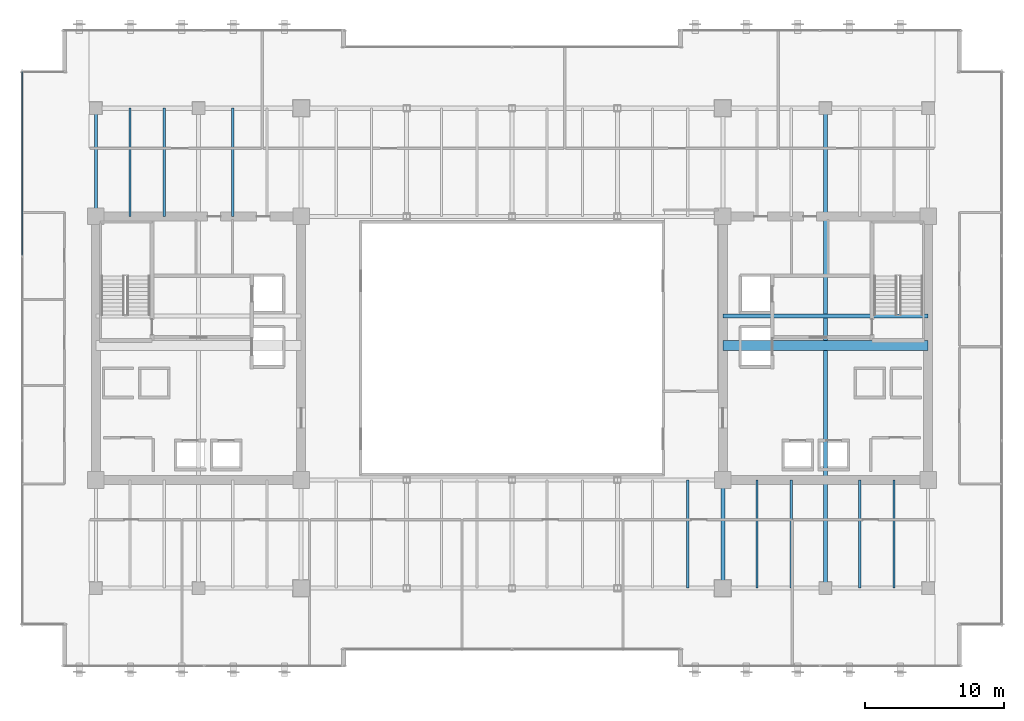
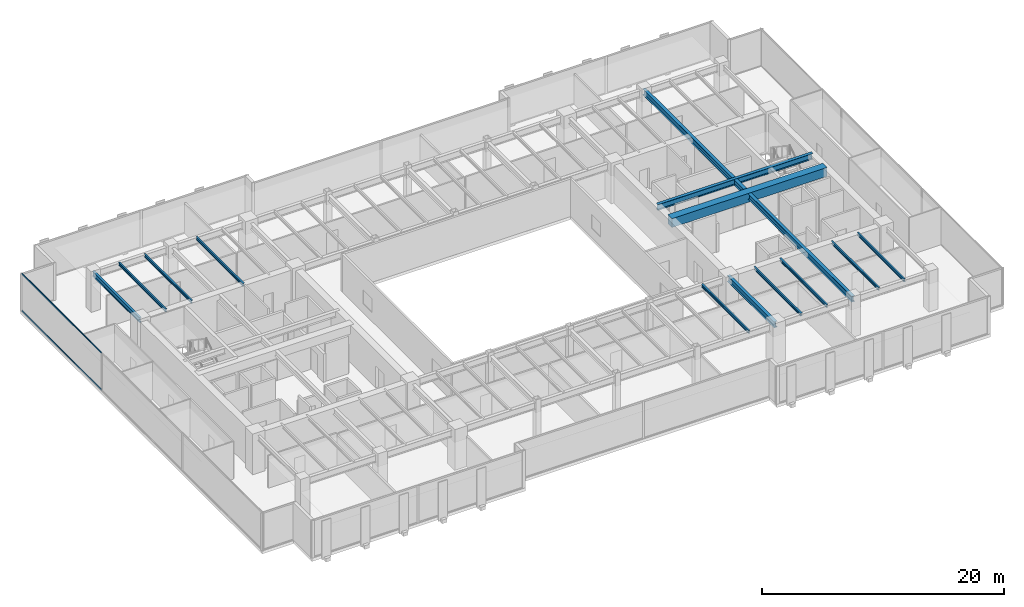
# One storey, part 13 of 34: 13 beams, 2 members, 1 element without a shape of its own.
"""IFC4 building model written with IfcOpenShell, lengths in metres."""

from ifc_helpers import new_model, si_unit, direction, frame, origin, origin_2d, place, context, subcontext, project, spatial, rectangle, hollow_rectangle, i_section, extrude, source, transform, mapped, material, layer, layer_set, material_profile, profile_set, type_object, type_shapes, element, aggregate, save


model = new_model("IFC4")

# Units and contexts
model_context = context("Model", 3, precision=1e-05, world=origin(), true_north=direction((0.0, 1.0)))
body_context = subcontext(model_context, "Body", "Model", "MODEL_VIEW")
ifc_project = project(units=[si_unit("LENGTHUNIT", "METRE"), si_unit("AREAUNIT", "SQUARE_METRE"), si_unit("VOLUMEUNIT", "CUBIC_METRE"), si_unit("PLANEANGLEUNIT", "RADIAN"), si_unit("MASSUNIT", "GRAM", prefix="KILO")], contexts=[model_context])

# Site, building, storey
site_placement = place(None, origin())
site = spatial("IfcSite", under=ifc_project, at=site_placement, CompositionType="ELEMENT")
building_placement = place(site_placement, origin())
building = spatial("IfcBuilding", under=site, at=building_placement, Name="Haelvirn Gate Laboratories", CompositionType="ELEMENT")
storey_placement = place(building_placement, frame((0.0, 0.0, 158.39990234375)))
storey = spatial("IfcBuildingStorey", under=building, at=storey_placement, Name="L38", CompositionType="ELEMENT", Elevation=158.39990234375)

# Beams
ifc_material_1 = material(Name="Concrete C60/75", Category="concrete")
ifc_material_profile_1 = material_profile(ifc_material_1, rectangle(XDim=0.699951171875, YDim=0.89990234375, at=origin_2d()), Name="RCB-700x900")
ifc_profile_set_1 = profile_set([ifc_material_profile_1], Name="Concrete C60/75")
beam_type_1 = type_object("IfcBeamType", Name="BM-RCB-900", PredefinedType="LINTEL", material=ifc_profile_set_1)
shared_shape_1 = source(origin(), body_context, "Body", "SweptSolid", [
    extrude(rectangle(XDim=0.699951171875, YDim=0.89990234375, at=origin_2d()), origin(), (0.0, 0.0, 1.0), 14.7998046875),
])
type_shapes(beam_type_1, [shared_shape_1])
beam_1_placement = place(storey_placement, frame((52.60009765625, 24.5, 3.340087890625), z_axis=(1.0, 0.0, 0.0), x_axis=(0.0, 1.0, 0.0)))
element("IfcBeam", 1, at=beam_1_placement, inside=storey, type_object=beam_type_1, Name="L38 East Core Coupling Beam", PredefinedType="LINTEL", context=body_context, shape_type="MappedRepresentation", body=[
    mapped(shared_shape_1, transform((0.0, 0.0, 0.0), scale=1.0)),
])
ifc_material_2 = material(Name="Steel SM355", Category="steel")
ifc_material_profile_2 = material_profile(ifc_material_2, i_section(OverallWidth=0.300048828125, OverallDepth=0.587890625, WebThickness=0.011962890625, FlangeThickness=0.02001953125, at=origin_2d()), Name="H-588x300x12x20")
ifc_profile_set_2 = profile_set([ifc_material_profile_2], Name="Steel SM355")
beam_type_2 = type_object("IfcBeamType", Name="BM-G-588", PredefinedType="BEAM", material=ifc_profile_set_2)
shared_shape_2 = source(origin(), body_context, "Body", "SweptSolid", [
    extrude(i_section(OverallWidth=0.300048828125, OverallDepth=0.587890625, WebThickness=0.011962890625, FlangeThickness=0.02001953125, at=origin_2d()), origin(), (0.0, 0.0, 1.0), 14.7998046875),
])
beam_2_placement = place(storey_placement, frame((52.60009765625, 26.6201171875, 3.49609375), z_axis=(1.0, 0.0, 0.0), x_axis=(0.0, 1.0, 0.0)))
element("IfcBeam", 2, at=beam_2_placement, inside=storey, type_object=beam_type_2, Name="L38 Stair ST2 Landing Header", PredefinedType="BEAM", context=body_context, shape_type="MappedRepresentation", body=[
    mapped(shared_shape_2, transform((0.0, 0.0, 0.0), scale=1.0)),
])
ifc_material_profile_3 = material_profile(ifc_material_2, i_section(OverallWidth=0.199951171875, OverallDepth=0.5, WebThickness=0.010009765625, FlangeThickness=0.01611328125, at=origin_2d()), Name="H-500x200x10x16")
ifc_profile_set_3 = profile_set([ifc_material_profile_3], Name="Steel SM355")
beam_type_3 = type_object("IfcBeamType", Name="BM-SP-500", PredefinedType="SPANDREL", material=ifc_profile_set_3)
shared_shape_3 = source(origin(), body_context, "Body", "SweptSolid", [
    extrude(i_section(OverallWidth=0.199951171875, OverallDepth=0.5, WebThickness=0.010009765625, FlangeThickness=0.01611328125, at=origin_2d()), origin(), (0.0, 0.0, 1.0), 7.800048828125),
])
type_shapes(beam_type_3, [shared_shape_3])
beam_3_placement = place(storey_placement, frame((7.39990234375, 33.800048828125, 3.5400390625), z_axis=(0.0, 1.0, 0.0), x_axis=(-1.0, 0.0, 0.0)))
element("IfcBeam", 3, at=beam_3_placement, inside=storey, type_object=beam_type_3, Name="L38 Perimeter Spandrel X7.4 (33.8-41.6)", PredefinedType="SPANDREL", context=body_context, shape_type="MappedRepresentation", body=[
    mapped(shared_shape_3, transform((0.0, 0.0, 0.0), scale=1.0)),
])
ifc_material_profile_4 = material_profile(ifc_material_2, i_section(OverallWidth=0.14990234375, OverallDepth=0.300048828125, WebThickness=0.006591796875, FlangeThickness=0.009033203125, at=origin_2d()), Name="H-300x150x6.5x9")
ifc_profile_set_4 = profile_set([ifc_material_profile_4], Name="Steel SM355")
beam_type_4 = type_object("IfcBeamType", Name="BM-J-300", PredefinedType="JOIST", material=ifc_profile_set_4)
shared_shape_4 = source(origin(), body_context, "Body", "SweptSolid", [
    extrude(i_section(OverallWidth=0.14990234375, OverallDepth=0.300048828125, WebThickness=0.006591796875, FlangeThickness=0.009033203125, at=origin_2d()), origin(), (0.0, 0.0, 1.0), 7.800048828125),
])
type_shapes(beam_type_4, [shared_shape_4])
for number, where, z_axis, x_axis, name in (
    (4, (9.8701171875, 33.800048828125, 3.64013671875), (0.0, 1.0, 0.0), (-1.0, 0.0, 0.0), "L38 Composite Lab Joist North X9.87"),
    (5, (12.330078125, 33.800048828125, 3.64013671875), (0.0, 1.0, 0.0), (-1.0, 0.0, 0.0), "L38 Composite Lab Joist North X12.33"),
    (6, (17.27001953125, 33.800048828125, 3.64013671875), (0.0, 1.0, 0.0), (-1.0, 0.0, 0.0), "L38 Composite Lab Joist North X17.27"),
    (7, (50.070068359375, 7.0, 3.64013671875), (0.0, 1.0, 0.0), (-1.0, 0.0, 0.0), "L38 Composite Lab Joist South X50.07"),
    (8, (55.070068359375, 7.0, 3.64013671875), (0.0, 1.0, 0.0), (-1.0, 0.0, 0.0), "L38 Composite Lab Joist South X55.07"),
    (9, (57.530029296875, 7.0, 3.64013671875), (0.0, 1.0, 0.0), (-1.0, 0.0, 0.0), "L38 Composite Lab Joist South X57.53"),
    (10, (62.469970703125, 7.0, 3.64013671875), (0.0, 1.0, 0.0), (-1.0, 0.0, 0.0), "L38 Composite Lab Joist South X62.47"),
    (11, (64.929931640625, 7.0, 3.64013671875), (0.0, 1.0, 0.0), (-1.0, 0.0, 0.0), "L38 Composite Lab Joist South X64.93"),
):
    element("IfcBeam", number, at=place(storey_placement, frame(where, z_axis=z_axis, x_axis=x_axis)), inside=storey, type_object=beam_type_4, Name=name, PredefinedType="JOIST", context=body_context, shape_type="MappedRepresentation", body=[
        mapped(shared_shape_4, transform((0.0, 0.0, 0.0), scale=1.0)),
    ])
shared_shape_5 = source(origin(), body_context, "Body", "SweptSolid", [
    extrude(i_section(OverallWidth=0.300048828125, OverallDepth=0.587890625, WebThickness=0.011962890625, FlangeThickness=0.02001953125, at=origin_2d()), origin(), (0.0, 0.0, 1.0), 34.60009765625),
])
beam_4_placement = place(storey_placement, frame((60.0, 7.0, 3.49609375), z_axis=(0.0, 1.0, 0.0), x_axis=(-1.0, 0.0, 0.0)))
element("IfcBeam", 12, at=beam_4_placement, inside=storey, type_object=beam_type_2, Name="L38 Frame Girder X60.0 (7.0-41.6)", PredefinedType="BEAM", context=body_context, shape_type="MappedRepresentation", body=[
    mapped(shared_shape_5, transform((0.0, 0.0, 0.0), scale=1.0)),
])
shared_shape_6 = source(origin(), body_context, "Body", "SweptSolid", [
    extrude(i_section(OverallWidth=0.300048828125, OverallDepth=0.587890625, WebThickness=0.011962890625, FlangeThickness=0.02001953125, at=origin_2d()), origin(), (0.0, 0.0, 1.0), 7.800048828125),
])
type_shapes(beam_type_2, [shared_shape_2, shared_shape_5, shared_shape_6])
beam_5_placement = place(storey_placement, frame((52.60009765625, 7.0, 3.49609375), z_axis=(0.0, 1.0, 0.0), x_axis=(-1.0, 0.0, 0.0)))
element("IfcBeam", 13, at=beam_5_placement, inside=storey, type_object=beam_type_2, Name="L38 Frame Girder X52.6 (7.0-14.8)", PredefinedType="BEAM", context=body_context, shape_type="MappedRepresentation", body=[
    mapped(shared_shape_6, transform((0.0, 0.0, 0.0), scale=1.0)),
])

# Curtain wall, members
ifc_material_3 = material(Name="Anodised bronze unitised aluminium & triple low-E glass", Category="aluminium")
ifc_layer = layer(ifc_material_3, 0.179931640625, Name="CW-SYS-3")
ifc_layer_set = layer_set([ifc_layer], Name="Anodised bronze unitised aluminium & triple low-E glass")
curtain_wall_type = type_object("IfcCurtainWallType", Name="CW-SYS-3", PredefinedType="NOTDEFINED", material=ifc_layer_set)
curtain_wall_placement = place(storey_placement, origin())
curtain_wall = element("IfcCurtainWall", 14, at=curtain_wall_placement, inside=storey, type_object=curtain_wall_type, Name="L38 Unitised Curtain Wall CW-L38-P0-E17", PredefinedType="NOTDEFINED")
ifc_material_4 = material(Name="Extruded aluminium 6063-T6 (anodised bronze)", Category="aluminium")
ifc_material_profile_5 = material_profile(ifc_material_4, hollow_rectangle(XDim=0.06494140625, YDim=0.139892578125, WallThickness=0.00390625, at=origin_2d()), Name="CWT-140x65x4")
ifc_profile_set_5 = profile_set([ifc_material_profile_5], Name="Extruded aluminium 6063-T6 (anodised bronze)")
member_type = type_object("IfcMemberType", Name="CWT-T140", PredefinedType="USERDEFINED", material=ifc_profile_set_5)
shared_shape_7 = source(origin(), body_context, "Body", "SweptSolid", [
    extrude(hollow_rectangle(XDim=0.06494140625, YDim=0.139892578125, WallThickness=0.00390625, at=origin_2d()), origin(), (0.0, 0.0, 1.0), 13.220947265625),
])
type_shapes(member_type, [shared_shape_7])
member_1_placement = place(storey_placement, frame((2.10009765625, 44.22509765625, 0.03271484375), z_axis=(0.0, -1.0, 0.0), x_axis=(1.0, 0.0, 0.0)))
member_1 = element("IfcMember", 15, at=member_1_placement, type_object=member_type, Name="CW3 transom 1.1", ObjectType="TRANSOM", PredefinedType="USERDEFINED", context=body_context, shape_type="MappedRepresentation", body=[
    mapped(shared_shape_7, transform((0.0, 0.0, 0.0), scale=1.0)),
])
member_2_placement = place(storey_placement, frame((2.10009765625, 44.22509765625, 3.757568359375), z_axis=(0.0, -1.0, 0.0), x_axis=(1.0, 0.0, 0.0)))
member_2 = element("IfcMember", 16, at=member_2_placement, type_object=member_type, Name="CW3 transom 1.2", ObjectType="TRANSOM", PredefinedType="USERDEFINED", context=body_context, shape_type="MappedRepresentation", body=[
    mapped(shared_shape_7, transform((0.0, 0.0, 0.0), scale=1.0)),
])
aggregate(curtain_wall, [member_1, member_2])

save(model, "model.ifc")
